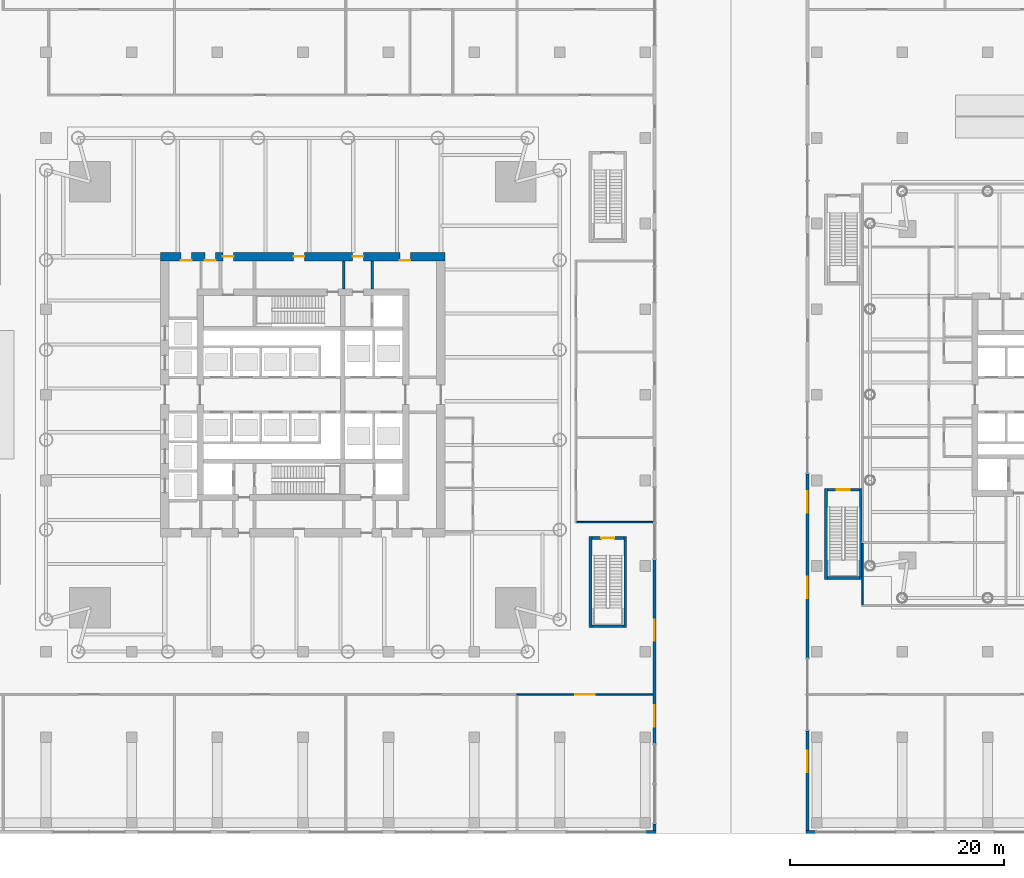
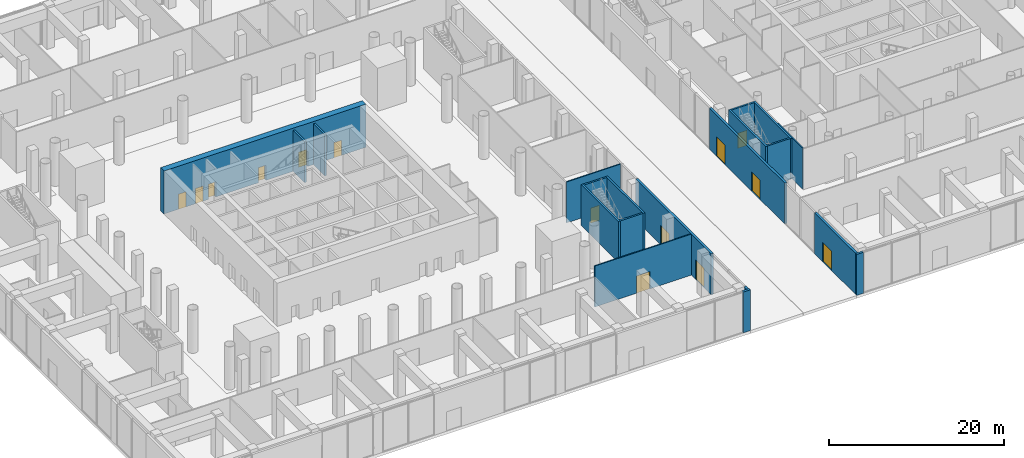
# One storey, part 27 of 39: 20 walls, 14 doors, 14 openings.
"""IFC4 building model written with IfcOpenShell, lengths in metres."""

from ifc_helpers import new_model, si_unit, direction, frame, frame_2d, origin, place, context, subcontext, project, spatial, rectangle, extrude, material, layer, layer_set, type_object, element, fill, save


model = new_model("IFC4")

# Units and contexts
model_context = context("Model", 3, precision=1e-05, world=origin(), true_north=direction((0.0, 1.0)))
body_context = subcontext(model_context, "Body", "Model", "MODEL_VIEW")
ifc_project = project(units=[si_unit("LENGTHUNIT", "METRE"), si_unit("AREAUNIT", "SQUARE_METRE"), si_unit("VOLUMEUNIT", "CUBIC_METRE"), si_unit("PLANEANGLEUNIT", "RADIAN"), si_unit("MASSUNIT", "GRAM", prefix="KILO")], contexts=[model_context])

# Site, building, storey
site_placement = place(None, origin())
site = spatial("IfcSite", under=ifc_project, at=site_placement, CompositionType="ELEMENT")
building_placement = place(site_placement, origin())
building = spatial("IfcBuilding", under=site, at=building_placement, Name="Ostroluk Exchange", CompositionType="ELEMENT")
storey_placement = place(building_placement, origin())
storey = spatial("IfcBuildingStorey", under=building, at=storey_placement, Name="L00", CompositionType="ELEMENT", Elevation=0.0)

# Walls
ifc_material_1 = material(Name="Concrete blockwork", Category="masonry")
ifc_layer_1 = layer(ifc_material_1, 0.25)
ifc_layer_set_1 = layer_set([ifc_layer_1], Name="Blockwork stair enclosure wall 250")
wall_type_1 = type_object("IfcWallType", Name="Blockwork stair enclosure wall 250", PredefinedType="SOLIDWALL", material=ifc_layer_set_1)
for number, where, z_axis, x_axis, name in (
    (1, (48.804931640625, 55.89990234375, 0.0), (0.0, 0.0, 1.0), (0.0, 1.0, 0.0), "Fire lobby enclosure wall"),
    (2, (51.47509765625, 55.89990234375, 0.0), (0.0, 0.0, 1.0), (0.0, 1.0, 0.0), "Fire lobby enclosure wall"),
):
    element("IfcWall", number, at=place(storey_placement, frame(where, z_axis=z_axis, x_axis=x_axis)), inside=storey, type_object=wall_type_1, Name=name, PredefinedType="SOLIDWALL", context=body_context, shape_type="SweptSolid", body=[
        extrude(rectangle(XDim=2.60009765625, YDim=0.25, at=frame_2d((1.300048828125, 0.0))), origin(), (0.0, 0.0, 1.0), 5.699951171875),
    ])
for number, where, z_axis, x_axis, name in (
    (3, (71.875, 24.25, 0.0), (0.0, 0.0, 1.0), (0.0, 1.0, 0.0), "Stair PS3 enclosure wall"),
    (4, (75.125, 24.25, 0.0), (0.0, 0.0, 1.0), (0.0, 1.0, 0.0), "Stair PS3 enclosure wall"),
):
    element("IfcWall", number, at=place(storey_placement, frame(where, z_axis=z_axis, x_axis=x_axis)), inside=storey, type_object=wall_type_1, Name=name, PredefinedType="SOLIDWALL", context=body_context, shape_type="SweptSolid", body=[
        extrude(rectangle(XDim=8.5, YDim=0.25, at=frame_2d((4.25, 0.0))), origin(), (0.0, 0.0, 1.0), 5.699951171875),
    ])
wall_1_placement = place(storey_placement, frame((72.0, 24.375, 0.0), z_axis=(0.0, 0.0, 1.0), x_axis=(1.0, 0.0, 0.0)))
element("IfcWall", 5, at=wall_1_placement, inside=storey, type_object=wall_type_1, Name="Stair PS3 enclosure wall", PredefinedType="SOLIDWALL", context=body_context, shape_type="SweptSolid", body=[
    extrude(rectangle(XDim=3.0, YDim=0.25, at=frame_2d((1.5, 0.0))), origin(), (0.0, 0.0, 1.0), 5.699951171875),
])

# Wall, opening, door
wall_2_placement = place(storey_placement, frame((72.0, 32.625, 0.0), z_axis=(0.0, 0.0, 1.0), x_axis=(1.0, 0.0, 0.0)))
wall_2 = element("IfcWall", 6, at=wall_2_placement, inside=storey, type_object=wall_type_1, Name="Stair PS3 enclosure wall", PredefinedType="SOLIDWALL", context=body_context, shape_type="SweptSolid", body=[
    extrude(rectangle(XDim=3.0, YDim=0.25, at=frame_2d((1.5, 0.0))), origin(), (0.0, 0.0, 1.0), 5.699951171875),
])
opening_1_placement = place(wall_2_placement, frame((0.89990234375, 0.0, 0.0)))
opening_1 = element("IfcOpeningElement", 7, at=opening_1_placement, cuts=wall_2, Name="Opening FD60S", PredefinedType="OPENING", context=body_context, shape_type="SweptSolid", body=[
    extrude(rectangle(XDim=1.199951171875, YDim=2.10009765625, at=frame_2d((0.60009765625, 1.050048828125))), frame((0.0, 0.135009765625, 0.0), z_axis=(0.0, -1.0, 0.0), x_axis=(1.0, 0.0, 0.0)), (0.0, 0.0, 1.0), 0.27001953125),
])
ifc_material_2 = material(Name="Steel", Category="steel")
door_type_1 = type_object("IfcDoorType", Name="Stair door EI 60 1200 x 2100", OperationType="SINGLE_SWING_LEFT", PredefinedType="DOOR", material=ifc_material_2)
door_1_placement = place(opening_1_placement, origin())
door_1 = element("IfcDoor", 8, at=door_1_placement, inside=storey, type_object=door_type_1, Name="Stair PS3 door", OperationType="SINGLE_SWING_LEFT", OverallHeight=2.10009765625, OverallWidth=1.199951171875, PredefinedType="DOOR", context=body_context, shape_type="SweptSolid", body=[
    extrude(rectangle(XDim=1.199951171875, YDim=2.10009765625, at=frame_2d((0.60009765625, 1.050048828125))), frame((0.0, 0.02490234375, 0.0), z_axis=(0.0, -1.0, 0.0), x_axis=(1.0, 0.0, 0.0)), (0.0, 0.0, 1.0), 0.050048828125),
])
fill(opening_1, door_1)

# Walls
for number, where, z_axis, x_axis, name in (
    (9, (93.875, 28.75, 0.0), (0.0, 0.0, 1.0), (0.0, 1.0, 0.0), "Stair PS5 enclosure wall"),
    (10, (97.125, 28.75, 0.0), (0.0, 0.0, 1.0), (0.0, 1.0, 0.0), "Stair PS5 enclosure wall"),
):
    element("IfcWall", number, at=place(storey_placement, frame(where, z_axis=z_axis, x_axis=x_axis)), inside=storey, type_object=wall_type_1, Name=name, PredefinedType="SOLIDWALL", context=body_context, shape_type="SweptSolid", body=[
        extrude(rectangle(XDim=8.5, YDim=0.25, at=frame_2d((4.25, 0.0))), origin(), (0.0, 0.0, 1.0), 5.699951171875),
    ])
wall_3_placement = place(storey_placement, frame((94.0, 28.875, 0.0), z_axis=(0.0, 0.0, 1.0), x_axis=(1.0, 0.0, 0.0)))
element("IfcWall", 11, at=wall_3_placement, inside=storey, type_object=wall_type_1, Name="Stair PS5 enclosure wall", PredefinedType="SOLIDWALL", context=body_context, shape_type="SweptSolid", body=[
    extrude(rectangle(XDim=3.0, YDim=0.25, at=frame_2d((1.5, 0.0))), origin(), (0.0, 0.0, 1.0), 5.699951171875),
])

# Wall, opening, door
wall_4_placement = place(storey_placement, frame((94.0, 37.125, 0.0), z_axis=(0.0, 0.0, 1.0), x_axis=(1.0, 0.0, 0.0)))
wall_4 = element("IfcWall", 12, at=wall_4_placement, inside=storey, type_object=wall_type_1, Name="Stair PS5 enclosure wall", PredefinedType="SOLIDWALL", context=body_context, shape_type="SweptSolid", body=[
    extrude(rectangle(XDim=3.0, YDim=0.25, at=frame_2d((1.5, 0.0))), origin(), (0.0, 0.0, 1.0), 5.699951171875),
])
opening_2_placement = place(wall_4_placement, frame((0.89990234375, 0.0, 0.0)))
opening_2 = element("IfcOpeningElement", 13, at=opening_2_placement, cuts=wall_4, Name="Opening FD60S", PredefinedType="OPENING", context=body_context, shape_type="SweptSolid", body=[
    extrude(rectangle(XDim=1.199951171875, YDim=2.10009765625, at=frame_2d((0.60009765625, 1.050048828125))), frame((0.0, 0.135009765625, 0.0), z_axis=(0.0, -1.0, 0.0), x_axis=(1.0, 0.0, 0.0)), (0.0, 0.0, 1.0), 0.27001953125),
])
door_2_placement = place(opening_2_placement, origin())
door_2 = element("IfcDoor", 14, at=door_2_placement, inside=storey, type_object=door_type_1, Name="Stair PS5 door", OperationType="SINGLE_SWING_LEFT", OverallHeight=2.10009765625, OverallWidth=1.199951171875, PredefinedType="DOOR", context=body_context, shape_type="SweptSolid", body=[
    extrude(rectangle(XDim=1.199951171875, YDim=2.10009765625, at=frame_2d((0.60009765625, 1.050048828125))), frame((0.0, 0.02490234375, 0.0), z_axis=(0.0, -1.0, 0.0), x_axis=(1.0, 0.0, 0.0)), (0.0, 0.0, 1.0), 0.050048828125),
])
fill(opening_2, door_2)

# Wall, openings, doors
ifc_material_3 = material(Name="Concrete C50/60", Category="concrete")
ifc_layer_2 = layer(ifc_material_3, 0.800048828125)
ifc_layer_set_2 = layer_set([ifc_layer_2], Name="Core wall 800 C50/60")
wall_type_2 = type_object("IfcWallType", Name="Core wall 800 C50/60", PredefinedType="SHEAR", material=ifc_layer_set_2)
wall_5_placement = place(storey_placement, frame((31.699951171875, 58.89990234375, 0.0), z_axis=(0.0, 0.0, 1.0), x_axis=(1.0, 0.0, 0.0)))
wall_5 = element("IfcWall", 15, at=wall_5_placement, inside=storey, type_object=wall_type_2, Name="T1 core wall RN", PredefinedType="SHEAR", context=body_context, shape_type="SweptSolid", body=[
    extrude(rectangle(XDim=26.60009765625, YDim=0.800048828125, at=frame_2d((13.300048828125, 0.0))), origin(), (0.0, 0.0, 1.0), 6.0),
])
opening_3_placement = place(wall_5_placement, frame((17.93994140625, 0.0, 0.0)))
opening_3 = element("IfcOpeningElement", 16, at=opening_3_placement, cuts=wall_5, Name="Opening FD60", PredefinedType="OPENING", context=body_context, shape_type="SweptSolid", body=[
    extrude(rectangle(XDim=1.0, YDim=2.10009765625, at=frame_2d((0.5, 1.050048828125))), frame((0.0, 0.409912109375, 0.0), z_axis=(0.0, -1.0, 0.0), x_axis=(1.0, 0.0, 0.0)), (0.0, 0.0, 1.0), 0.820068359375),
])
opening_4_placement = place(wall_5_placement, frame((12.43994140625, 0.0, 0.0)))
opening_4 = element("IfcOpeningElement", 17, at=opening_4_placement, cuts=wall_5, Name="Opening FD60", PredefinedType="OPENING", context=body_context, shape_type="SweptSolid", body=[
    extrude(rectangle(XDim=1.0, YDim=2.10009765625, at=frame_2d((0.5, 1.050048828125))), frame((0.0, 0.409912109375, 0.0), z_axis=(0.0, -1.0, 0.0), x_axis=(1.0, 0.0, 0.0)), (0.0, 0.0, 1.0), 0.820068359375),
])
opening_5_placement = place(wall_5_placement, frame((5.824951171875, 0.0, 0.0)))
opening_5 = element("IfcOpeningElement", 18, at=opening_5_placement, cuts=wall_5, Name="Opening FD60", PredefinedType="OPENING", context=body_context, shape_type="SweptSolid", body=[
    extrude(rectangle(XDim=1.0, YDim=2.10009765625, at=frame_2d((0.5, 1.050048828125))), frame((0.0, 0.409912109375, 0.0), z_axis=(0.0, -1.0, 0.0), x_axis=(1.0, 0.0, 0.0)), (0.0, 0.0, 1.0), 0.820068359375),
])
opening_6_placement = place(wall_5_placement, frame((1.89990234375, 0.0, 0.0)))
opening_6 = element("IfcOpeningElement", 19, at=opening_6_placement, cuts=wall_5, Name="Opening FD60", PredefinedType="OPENING", context=body_context, shape_type="SweptSolid", body=[
    extrude(rectangle(XDim=1.0, YDim=2.10009765625, at=frame_2d((0.5, 1.050048828125))), frame((0.0, 0.409912109375, 0.0), z_axis=(0.0, -1.0, 0.0), x_axis=(1.0, 0.0, 0.0)), (0.0, 0.0, 1.0), 0.820068359375),
])
opening_7_placement = place(wall_5_placement, frame((4.133544921875, 0.0, 0.0)))
opening_7 = element("IfcOpeningElement", 20, at=opening_7_placement, cuts=wall_5, Name="Opening FD60", PredefinedType="OPENING", context=body_context, shape_type="SweptSolid", body=[
    extrude(rectangle(XDim=1.0, YDim=2.10009765625, at=frame_2d((0.5, 1.050048828125))), frame((0.0, 0.409912109375, 0.0), z_axis=(0.0, -1.0, 0.0), x_axis=(1.0, 0.0, 0.0)), (0.0, 0.0, 1.0), 0.820068359375),
])
opening_8_placement = place(wall_5_placement, frame((22.35009765625, 0.0, 0.0)))
opening_8 = element("IfcOpeningElement", 21, at=opening_8_placement, cuts=wall_5, Name="Opening FD60", PredefinedType="OPENING", context=body_context, shape_type="SweptSolid", body=[
    extrude(rectangle(XDim=1.0, YDim=2.10009765625, at=frame_2d((0.5, 1.050048828125))), frame((0.0, 0.409912109375, 0.0), z_axis=(0.0, -1.0, 0.0), x_axis=(1.0, 0.0, 0.0)), (0.0, 0.0, 1.0), 0.820068359375),
])
ifc_material_4 = material(Name="Steel", Category="steel")
door_type_2 = type_object("IfcDoorType", Name="Fire door EI 60 1000 x 2100", OperationType="SINGLE_SWING_LEFT", PredefinedType="DOOR", material=ifc_material_4)
door_3_placement = place(opening_3_placement, origin())
door_3 = element("IfcDoor", 22, at=door_3_placement, inside=storey, type_object=door_type_2, Name="Firefighting lobby door", OperationType="SINGLE_SWING_RIGHT", OverallHeight=2.10009765625, OverallWidth=1.0, PredefinedType="DOOR", context=body_context, shape_type="SweptSolid", body=[
    extrude(rectangle(XDim=1.0, YDim=2.10009765625, at=frame_2d((0.5, 1.050048828125))), frame((0.0, 0.02490234375, 0.0), z_axis=(0.0, -1.0, 0.0), x_axis=(1.0, 0.0, 0.0)), (0.0, 0.0, 1.0), 0.050048828125),
])
fill(opening_3, door_3)
door_4_placement = place(opening_4_placement, origin())
door_4 = element("IfcDoor", 23, at=door_4_placement, inside=storey, type_object=door_type_2, Name="Stair lobby door", OperationType="SINGLE_SWING_LEFT", OverallHeight=2.10009765625, OverallWidth=1.0, PredefinedType="DOOR", context=body_context, shape_type="SweptSolid", body=[
    extrude(rectangle(XDim=1.0, YDim=2.10009765625, at=frame_2d((0.5, 1.050048828125))), frame((0.0, 0.02490234375, 0.0), z_axis=(0.0, -1.0, 0.0), x_axis=(1.0, 0.0, 0.0)), (0.0, 0.0, 1.0), 0.050048828125),
])
fill(opening_4, door_4)
door_5_placement = place(opening_5_placement, origin())
door_5 = element("IfcDoor", 24, at=door_5_placement, inside=storey, type_object=door_type_2, Name="Core corridor door", OperationType="SINGLE_SWING_LEFT", OverallHeight=2.10009765625, OverallWidth=1.0, PredefinedType="DOOR", context=body_context, shape_type="SweptSolid", body=[
    extrude(rectangle(XDim=1.0, YDim=2.10009765625, at=frame_2d((0.5, 1.050048828125))), frame((0.0, 0.02490234375, 0.0), z_axis=(0.0, -1.0, 0.0), x_axis=(1.0, 0.0, 0.0)), (0.0, 0.0, 1.0), 0.050048828125),
])
fill(opening_5, door_5)
door_6_placement = place(opening_6_placement, origin())
door_6 = element("IfcDoor", 25, at=door_6_placement, inside=storey, type_object=door_type_2, Name="Store door", OperationType="SINGLE_SWING_LEFT", OverallHeight=2.10009765625, OverallWidth=1.0, PredefinedType="DOOR", context=body_context, shape_type="SweptSolid", body=[
    extrude(rectangle(XDim=1.0, YDim=2.10009765625, at=frame_2d((0.5, 1.050048828125))), frame((0.0, -0.33984375, 0.0), z_axis=(0.0, -1.0, 0.0), x_axis=(1.0, 0.0, 0.0)), (0.0, 0.0, 1.0), 0.050048828125),
])
fill(opening_6, door_6)
door_7_placement = place(opening_7_placement, origin())
door_7 = element("IfcDoor", 26, at=door_7_placement, inside=storey, type_object=door_type_2, Name="Cleaner's store door", OperationType="SINGLE_SWING_LEFT", OverallHeight=2.10009765625, OverallWidth=1.0, PredefinedType="DOOR", context=body_context, shape_type="SweptSolid", body=[
    extrude(rectangle(XDim=1.0, YDim=2.10009765625, at=frame_2d((0.5, 1.050048828125))), frame((0.0, -0.33984375, 0.0), z_axis=(0.0, -1.0, 0.0), x_axis=(1.0, 0.0, 0.0)), (0.0, 0.0, 1.0), 0.050048828125),
])
fill(opening_7, door_7)
door_8_placement = place(opening_8_placement, origin())
door_8 = element("IfcDoor", 27, at=door_8_placement, inside=storey, type_object=door_type_2, Name="Security equipment store door", OperationType="SINGLE_SWING_RIGHT", OverallHeight=2.10009765625, OverallWidth=1.0, PredefinedType="DOOR", context=body_context, shape_type="SweptSolid", body=[
    extrude(rectangle(XDim=1.0, YDim=2.10009765625, at=frame_2d((0.5, 1.050048828125))), frame((0.0, -0.33984375, 0.0), z_axis=(0.0, -1.0, 0.0), x_axis=(1.0, 0.0, 0.0)), (0.0, 0.0, 1.0), 0.050048828125),
])
fill(opening_8, door_8)

# Walls
ifc_material_5 = material(Name="Limestone", Category="masonry")
ifc_layer_3 = layer(ifc_material_5, 0.300048828125)
ifc_layer_set_3 = layer_set([ifc_layer_3], Name="Limestone facade wall 300")
wall_type_3 = type_object("IfcWallType", Name="Limestone facade wall 300", PredefinedType="SOLIDWALL", material=ifc_layer_set_3)
wall_6_placement = place(storey_placement, frame((77.10009765625, 5.14990234375, 0.0), z_axis=(0.0, 0.0, 1.0), x_axis=(1.0, 0.0, 0.0)))
element("IfcWall", 28, at=wall_6_placement, inside=storey, type_object=wall_type_3, Name="Podium west S wall L00 7a", PredefinedType="SOLIDWALL", context=body_context, shape_type="SweptSolid", body=[
    extrude(rectangle(XDim=0.89990234375, YDim=0.300048828125, at=frame_2d((0.449951171875, 0.0))), origin(), (0.0, 0.0, 1.0), 5.699951171875),
])
wall_7_placement = place(storey_placement, frame((77.85009765625, 5.300048828125, 0.0), z_axis=(0.0, 0.0, 1.0), x_axis=(0.0, 1.0, 0.0)))
element("IfcWall", 29, at=wall_7_placement, inside=storey, type_object=wall_type_3, Name="Podium west E wall L00 1a", PredefinedType="SOLIDWALL", context=body_context, shape_type="SweptSolid", body=[
    extrude(rectangle(XDim=0.599853515625, YDim=0.300048828125, at=frame_2d((0.2998046875, 0.0))), origin(), (0.0, 0.0, 1.0), 5.699951171875),
])

# Wall, openings, doors
wall_8_placement = place(storey_placement, frame((77.85009765625, 13.39990234375, 0.0), z_axis=(0.0, 0.0, 1.0), x_axis=(0.0, 1.0, 0.0)))
wall_8 = element("IfcWall", 30, at=wall_8_placement, inside=storey, type_object=wall_type_3, Name="Podium west E wall L00 2a", PredefinedType="SOLIDWALL", context=body_context, shape_type="SweptSolid", body=[
    extrude(rectangle(XDim=17.2001953125, YDim=0.300048828125, at=frame_2d((8.60009765625, 0.0))), origin(), (0.0, 0.0, 1.0), 5.699951171875),
])
opening_9_placement = place(wall_8_placement, frame((1.60009765625, 0.0, 0.0)))
opening_9 = element("IfcOpeningElement", 31, at=opening_9_placement, cuts=wall_8, Name="Opening D-E1", PredefinedType="OPENING", context=body_context, shape_type="SweptSolid", body=[
    extrude(rectangle(XDim=2.0, YDim=2.699951171875, at=frame_2d((1.0, 1.35009765625))), frame((0.0, 0.159912109375, 0.0), z_axis=(0.0, -1.0, 0.0), x_axis=(1.0, 0.0, 0.0)), (0.0, 0.0, 1.0), 0.320068359375),
])
opening_10_placement = place(wall_8_placement, frame((9.60009765625, 0.0, 0.0)))
opening_10 = element("IfcOpeningElement", 32, at=opening_10_placement, cuts=wall_8, Name="Opening D-E1", PredefinedType="OPENING", context=body_context, shape_type="SweptSolid", body=[
    extrude(rectangle(XDim=2.0, YDim=2.699951171875, at=frame_2d((1.0, 1.35009765625))), frame((0.0, 0.159912109375, 0.0), z_axis=(0.0, -1.0, 0.0), x_axis=(1.0, 0.0, 0.0)), (0.0, 0.0, 1.0), 0.320068359375),
])
ifc_material_6 = material(Name="Bronze framed glazed door", Category="aluminium")
door_type_3 = type_object("IfcDoorType", Name="Entrance double door 2000 x 2700", OperationType="DOUBLE_DOOR_SINGLE_SWING", PredefinedType="DOOR", material=ifc_material_6)
door_9_placement = place(opening_9_placement, origin())
door_9 = element("IfcDoor", 33, at=door_9_placement, inside=storey, type_object=door_type_3, Name="Podium west entrance E 2", OperationType="DOUBLE_DOOR_SINGLE_SWING", OverallHeight=2.699951171875, OverallWidth=2.0, PredefinedType="DOOR", context=body_context, shape_type="SweptSolid", body=[
    extrude(rectangle(XDim=2.0, YDim=2.699951171875, at=frame_2d((1.0, 1.35009765625))), frame((0.0, 0.02490234375, 0.0), z_axis=(0.0, -1.0, 0.0), x_axis=(1.0, 0.0, 0.0)), (0.0, 0.0, 1.0), 0.050048828125),
])
fill(opening_9, door_9)
door_10_placement = place(opening_10_placement, origin())
door_10 = element("IfcDoor", 34, at=door_10_placement, inside=storey, type_object=door_type_3, Name="Podium west entrance E 3", OperationType="DOUBLE_DOOR_SINGLE_SWING", OverallHeight=2.699951171875, OverallWidth=2.0, PredefinedType="DOOR", context=body_context, shape_type="SweptSolid", body=[
    extrude(rectangle(XDim=2.0, YDim=2.699951171875, at=frame_2d((1.0, 1.35009765625))), frame((0.0, 0.02490234375, 0.0), z_axis=(0.0, -1.0, 0.0), x_axis=(1.0, 0.0, 0.0)), (0.0, 0.0, 1.0), 0.050048828125),
])
fill(opening_10, door_10)

# Wall
wall_9_placement = place(storey_placement, frame((92.0, 5.14990234375, 0.0), z_axis=(0.0, 0.0, 1.0), x_axis=(1.0, 0.0, 0.0)))
element("IfcWall", 35, at=wall_9_placement, inside=storey, type_object=wall_type_3, Name="Podium east S wall L00 1a", PredefinedType="SOLIDWALL", context=body_context, shape_type="SweptSolid", body=[
    extrude(rectangle(XDim=0.89990234375, YDim=0.300048828125, at=frame_2d((0.449951171875, 0.0))), origin(), (0.0, 0.0, 1.0), 5.699951171875),
])

# Wall, openings, doors
wall_10_placement = place(storey_placement, frame((92.14990234375, 38.60009765625, 0.0), z_axis=(0.0, 0.0, 1.0), x_axis=(0.0, -1.0, 0.0)))
wall_10 = element("IfcWall", 36, at=wall_10_placement, inside=storey, type_object=wall_type_3, Name="Podium east W wall L00 4a", PredefinedType="SOLIDWALL", context=body_context, shape_type="SweptSolid", body=[
    extrude(rectangle(XDim=17.2001953125, YDim=0.300048828125, at=frame_2d((8.60009765625, 0.0))), origin(), (0.0, 0.0, 1.0), 5.699951171875),
])
opening_11_placement = place(wall_10_placement, frame((1.60009765625, 0.0, 0.0)))
opening_11 = element("IfcOpeningElement", 37, at=opening_11_placement, cuts=wall_10, Name="Opening D-E1", PredefinedType="OPENING", context=body_context, shape_type="SweptSolid", body=[
    extrude(rectangle(XDim=2.0, YDim=2.699951171875, at=frame_2d((1.0, 1.35009765625))), frame((0.0, 0.159912109375, 0.0), z_axis=(0.0, -1.0, 0.0), x_axis=(1.0, 0.0, 0.0)), (0.0, 0.0, 1.0), 0.320068359375),
])
opening_12_placement = place(wall_10_placement, frame((9.60009765625, 0.0, 0.0)))
opening_12 = element("IfcOpeningElement", 38, at=opening_12_placement, cuts=wall_10, Name="Opening D-E1", PredefinedType="OPENING", context=body_context, shape_type="SweptSolid", body=[
    extrude(rectangle(XDim=2.0, YDim=2.699951171875, at=frame_2d((1.0, 1.35009765625))), frame((0.0, 0.159912109375, 0.0), z_axis=(0.0, -1.0, 0.0), x_axis=(1.0, 0.0, 0.0)), (0.0, 0.0, 1.0), 0.320068359375),
])
door_11_placement = place(opening_11_placement, origin())
door_11 = element("IfcDoor", 39, at=door_11_placement, inside=storey, type_object=door_type_3, Name="Podium east entrance W 8", OperationType="DOUBLE_DOOR_SINGLE_SWING", OverallHeight=2.699951171875, OverallWidth=2.0, PredefinedType="DOOR", context=body_context, shape_type="SweptSolid", body=[
    extrude(rectangle(XDim=2.0, YDim=2.699951171875, at=frame_2d((1.0, 1.35009765625))), frame((0.0, 0.02490234375, 0.0), z_axis=(0.0, -1.0, 0.0), x_axis=(1.0, 0.0, 0.0)), (0.0, 0.0, 1.0), 0.050048828125),
])
fill(opening_11, door_11)
door_12_placement = place(opening_12_placement, origin())
door_12 = element("IfcDoor", 40, at=door_12_placement, inside=storey, type_object=door_type_3, Name="Podium east entrance W 9", OperationType="DOUBLE_DOOR_SINGLE_SWING", OverallHeight=2.699951171875, OverallWidth=2.0, PredefinedType="DOOR", context=body_context, shape_type="SweptSolid", body=[
    extrude(rectangle(XDim=2.0, YDim=2.699951171875, at=frame_2d((1.0, 1.35009765625))), frame((0.0, 0.02490234375, 0.0), z_axis=(0.0, -1.0, 0.0), x_axis=(1.0, 0.0, 0.0)), (0.0, 0.0, 1.0), 0.050048828125),
])
fill(opening_12, door_12)

# Wall, opening, door
wall_11_placement = place(storey_placement, frame((92.14990234375, 14.60009765625, 0.0), z_axis=(0.0, 0.0, 1.0), x_axis=(0.0, -1.0, 0.0)))
wall_11 = element("IfcWall", 41, at=wall_11_placement, inside=storey, type_object=wall_type_3, Name="Podium east W wall L00 5a", PredefinedType="SOLIDWALL", context=body_context, shape_type="SweptSolid", body=[
    extrude(rectangle(XDim=9.300048828125, YDim=0.300048828125, at=frame_2d((4.64990234375, 0.0))), origin(), (0.0, 0.0, 1.0), 5.699951171875),
])
opening_13_placement = place(wall_11_placement, frame((1.85009765625, 0.0, 0.0)))
opening_13 = element("IfcOpeningElement", 42, at=opening_13_placement, cuts=wall_11, Name="Opening D-E1", PredefinedType="OPENING", context=body_context, shape_type="SweptSolid", body=[
    extrude(rectangle(XDim=2.0, YDim=2.699951171875, at=frame_2d((1.0, 1.35009765625))), frame((0.0, 0.159912109375, 0.0), z_axis=(0.0, -1.0, 0.0), x_axis=(1.0, 0.0, 0.0)), (0.0, 0.0, 1.0), 0.320068359375),
])
door_13_placement = place(opening_13_placement, origin())
door_13 = element("IfcDoor", 43, at=door_13_placement, inside=storey, type_object=door_type_3, Name="Podium east entrance W 11", OperationType="DOUBLE_DOOR_SINGLE_SWING", OverallHeight=2.699951171875, OverallWidth=2.0, PredefinedType="DOOR", context=body_context, shape_type="SweptSolid", body=[
    extrude(rectangle(XDim=2.0, YDim=2.699951171875, at=frame_2d((1.0, 1.35009765625))), frame((0.0, 0.02490234375, 0.0), z_axis=(0.0, -1.0, 0.0), x_axis=(1.0, 0.0, 0.0)), (0.0, 0.0, 1.0), 0.050048828125),
])
fill(opening_13, door_13)

# Wall
ifc_material_7 = material(Name="Gypsum plasterboard partition", Category="gypsum")
ifc_layer_4 = layer(ifc_material_7, 0.14990234375)
ifc_layer_set_4 = layer_set([ifc_layer_4], Name="Plasterboard partition 150")
wall_type_4 = type_object("IfcWallType", Name="Plasterboard partition 150", PredefinedType="PARTITIONING", material=ifc_layer_set_4)
wall_12_placement = place(storey_placement, frame((70.574951171875, 34.10009765625, 0.0), z_axis=(0.0, 0.0, 1.0), x_axis=(1.0, 0.0, 0.0)))
element("IfcWall", 44, at=wall_12_placement, inside=storey, type_object=wall_type_4, Name="Partition", PredefinedType="PARTITIONING", context=body_context, shape_type="SweptSolid", body=[
    extrude(rectangle(XDim=7.125, YDim=0.14990234375, at=frame_2d((3.5625, 0.0))), origin(), (0.0, 0.0, 1.0), 5.699951171875),
])

# Wall, opening, door
wall_13_placement = place(storey_placement, frame((65.0, 18.0, 0.0), z_axis=(0.0, 0.0, 1.0), x_axis=(1.0, 0.0, 0.0)))
wall_13 = element("IfcWall", 45, at=wall_13_placement, inside=storey, type_object=wall_type_4, Name="Partition", PredefinedType="PARTITIONING", context=body_context, shape_type="SweptSolid", body=[
    extrude(rectangle(XDim=12.699951171875, YDim=0.14990234375, at=frame_2d((6.35009765625, 0.0))), origin(), (0.0, 0.0, 1.0), 5.699951171875),
])
opening_14_placement = place(wall_13_placement, frame((5.449951171875, 0.0, 0.0)))
opening_14 = element("IfcOpeningElement", 46, at=opening_14_placement, cuts=wall_13, Name="Opening D-04", PredefinedType="OPENING", context=body_context, shape_type="SweptSolid", body=[
    extrude(rectangle(XDim=1.800048828125, YDim=2.39990234375, at=frame_2d((0.89990234375, 1.199951171875))), frame((0.0, 0.0849609375, 0.0), z_axis=(0.0, -1.0, 0.0), x_axis=(1.0, 0.0, 0.0)), (0.0, 0.0, 1.0), 0.169921875),
])
ifc_material_8 = material(Name="Timber", Category="wood")
door_type_4 = type_object("IfcDoorType", Name="Double door 1800 x 2400", OperationType="DOUBLE_DOOR_SINGLE_SWING", PredefinedType="DOOR", material=ifc_material_8)
door_14_placement = place(opening_14_placement, origin())
door_14 = element("IfcDoor", 47, at=door_14_placement, inside=storey, type_object=door_type_4, Name="Retail unit door", OperationType="DOUBLE_DOOR_SINGLE_SWING", OverallHeight=2.39990234375, OverallWidth=1.800048828125, PredefinedType="DOOR", context=body_context, shape_type="SweptSolid", body=[
    extrude(rectangle(XDim=1.800048828125, YDim=2.39990234375, at=frame_2d((0.89990234375, 1.199951171875))), frame((0.0, 0.02490234375, 0.0), z_axis=(0.0, -1.0, 0.0), x_axis=(1.0, 0.0, 0.0)), (0.0, 0.0, 1.0), 0.050048828125),
])
fill(opening_14, door_14)

# Wall
wall_14_placement = place(storey_placement, frame((97.300048828125, 26.375, 0.0), z_axis=(0.0, 0.0, 1.0), x_axis=(0.0, 1.0, 0.0)))
element("IfcWall", 48, at=wall_14_placement, inside=storey, type_object=wall_type_4, Name="Partition", PredefinedType="PARTITIONING", context=body_context, shape_type="SweptSolid", body=[
    extrude(rectangle(XDim=5.75, YDim=0.14990234375, at=frame_2d((2.875, 0.0))), origin(), (0.0, 0.0, 1.0), 5.699951171875),
])

save(model, "model.ifc")
